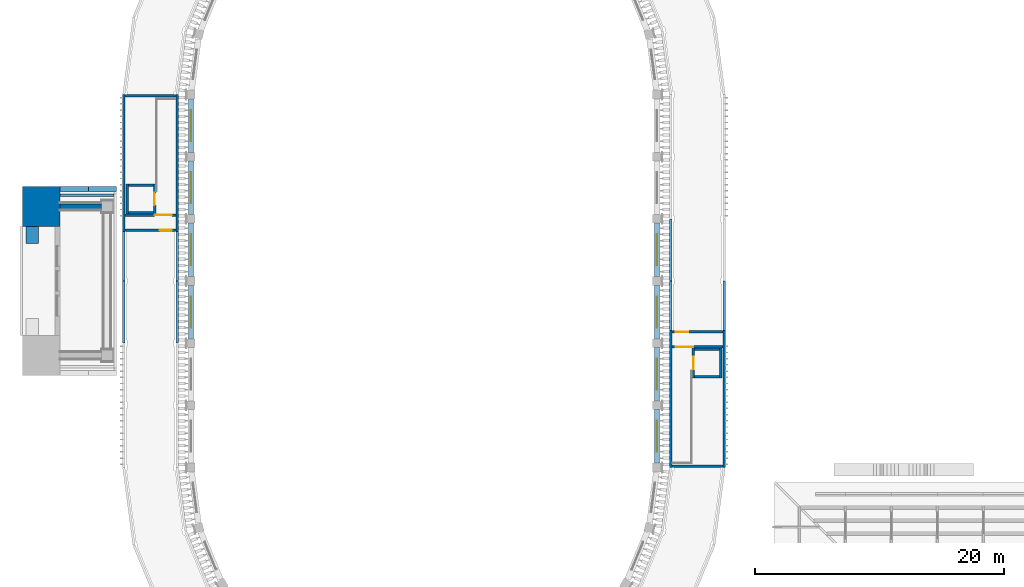
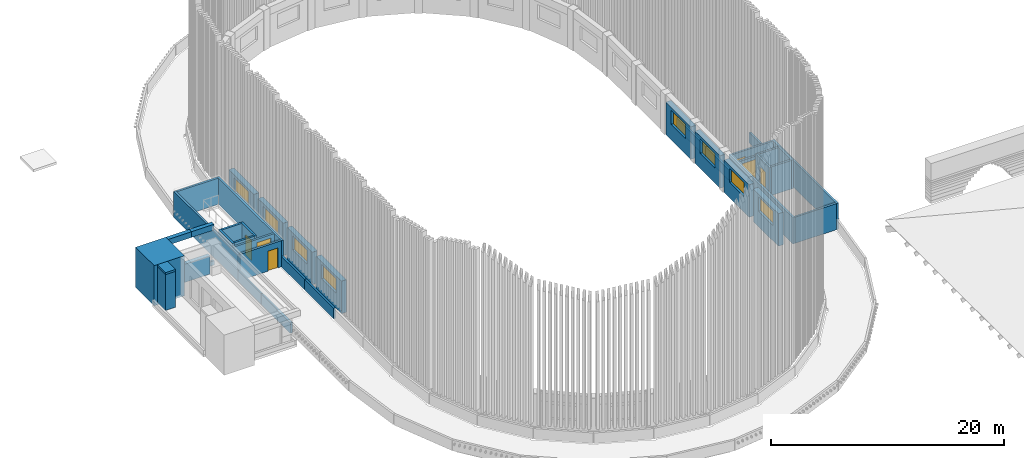
# One storey, part 22 of 68: 40 walls, 8 windows, 6 doors, 14 openings.
"""IFC4 building model written with IfcOpenShell, lengths in metres."""

from ifc_helpers import new_model, si_unit, direction, frame, frame_2d, origin, place, context, subcontext, project, spatial, rectangle, extrude, material, layer, layer_set, type_object, element, fill, save


model = new_model("IFC4")

# Units and contexts
model_context = context("Model", 3, precision=1e-05, world=origin(), true_north=direction((0.0, 1.0)))
body_context = subcontext(model_context, "Body", "Model", "MODEL_VIEW")
ifc_project = project(units=[si_unit("LENGTHUNIT", "METRE"), si_unit("AREAUNIT", "SQUARE_METRE"), si_unit("VOLUMEUNIT", "CUBIC_METRE"), si_unit("PLANEANGLEUNIT", "RADIAN"), si_unit("MASSUNIT", "GRAM", prefix="KILO")], contexts=[model_context])

# Site, building, storey
site_placement = place(None, origin())
site = spatial("IfcSite", under=ifc_project, at=site_placement, CompositionType="ELEMENT")
building_placement = place(site_placement, origin())
building = spatial("IfcBuilding", under=site, at=building_placement, Name="Wasatch Bagh Community Centre", CompositionType="ELEMENT")
storey_placement = place(building_placement, frame((0.0, 0.0, 8.39990234375)))
storey = spatial("IfcBuildingStorey", under=building, at=storey_placement, Name="L02", CompositionType="ELEMENT", Elevation=8.39990234375)

# Walls
ifc_material_1 = material(Name="Concrete C35", Category="concrete")
ifc_layer_1 = layer(ifc_material_1, 0.199951171875)
ifc_layer_set_1 = layer_set([ifc_layer_1], Name="Concrete C35")
wall_type_1 = type_object("IfcWallType", Name="CP-W1", PredefinedType="PARAPET", material=ifc_layer_set_1)
wall_1_placement = place(storey_placement, frame((6.72998046875, 56.89990234375, 0.25), z_axis=(0.0, 0.0, 1.0), x_axis=(1.0, 0.0, 0.0)))
element("IfcWall", 1, at=wall_1_placement, inside=storey, type_object=wall_type_1, Name="CP-W1 deck parapet 4", PredefinedType="PARAPET", context=body_context, shape_type="SweptSolid", body=[
    extrude(rectangle(XDim=4.320068359375, YDim=0.199951171875, at=frame_2d((2.16015625, 0.0))), origin(), (0.0, 0.0, 1.0), 0.4501953125),
])
ifc_material_2 = material(Name="Concrete C40", Category="concrete")
ifc_layer_2 = layer(ifc_material_2, 0.39990234375)
ifc_layer_set_2 = layer_set([ifc_layer_2], Name="Concrete C40")
wall_type_2 = type_object("IfcWallType", Name="CP-W4", PredefinedType="STANDARD", material=ifc_layer_set_2)
wall_2_placement = place(storey_placement, frame((6.699951171875, 56.0, 0.25), z_axis=(0.0, 0.0, 1.0), x_axis=(1.0, 0.0, 0.0)))
element("IfcWall", 2, at=wall_2_placement, inside=storey, type_object=wall_type_2, Name="CP-W4 portal return wall 2", PredefinedType="STANDARD", context=body_context, shape_type="SweptSolid", body=[
    extrude(rectangle(XDim=3.35009765625, YDim=0.39990234375, at=frame_2d((1.675048828125, 0.0))), origin(), (0.0, 0.0, 1.0), 1.900146484375),
])
ifc_layer_3 = layer(ifc_material_2, 0.39990234375)
ifc_layer_set_3 = layer_set([ifc_layer_3], Name="Concrete C40")
wall_type_3 = type_object("IfcWallType", Name="CP-W5", PredefinedType="STANDARD", material=ifc_layer_set_3)
wall_3_placement = place(storey_placement, frame((6.699951171875, 57.39990234375, 3.60009765625), z_axis=(0.0, 0.0, 1.0), x_axis=(1.0, 0.0, 0.0)))
element("IfcWall", 3, at=wall_3_placement, inside=storey, type_object=wall_type_3, Name="CP-W5 iwan cheek wall 2.1", PredefinedType="STANDARD", context=body_context, shape_type="SweptSolid", body=[
    extrude(rectangle(XDim=2.300048828125, YDim=0.39990234375, at=frame_2d((1.14990234375, 0.0))), origin(), (0.0, 0.0, 1.0), 0.60009765625),
])
wall_4_placement = place(storey_placement, frame((9.0, 57.39990234375, 3.60009765625), z_axis=(0.0, 0.0, 1.0), x_axis=(1.0, 0.0, 0.0)))
element("IfcWall", 4, at=wall_4_placement, inside=storey, type_object=wall_type_3, Name="CP-W5 iwan cheek wall 2.2", PredefinedType="STANDARD", context=body_context, shape_type="SweptSolid", body=[
    extrude(rectangle(XDim=2.25, YDim=0.39990234375, at=frame_2d((1.125, 0.0))), origin(), (0.0, 0.0, 1.0), 0.60009765625),
])
ifc_layer_4 = layer(ifc_material_2, 3.0)
ifc_layer_set_4 = layer_set([ifc_layer_4], Name="Concrete C40")
wall_type_4 = type_object("IfcWallType", Name="CP-W7", PredefinedType="STANDARD", material=ifc_layer_set_4)
wall_5_placement = place(storey_placement, frame((5.199951171875, 54.39990234375, 0.0), z_axis=(0.0, 0.0, 1.0), x_axis=(0.0, 1.0, 0.0)))
element("IfcWall", 5, at=wall_5_placement, inside=storey, type_object=wall_type_4, Name="CP-W7 iwan masonry mass 2", PredefinedType="STANDARD", context=body_context, shape_type="SweptSolid", body=[
    extrude(rectangle(XDim=3.2001953125, YDim=3.0, at=frame_2d((1.60009765625, 0.0))), origin(), (0.0, 0.0, 1.0), 4.2001953125),
])
ifc_layer_5 = layer(ifc_material_2, 1.0)
ifc_layer_set_5 = layer_set([ifc_layer_5], Name="Concrete C40")
wall_type_5 = type_object("IfcWallType", Name="CP-W8", PredefinedType="STANDARD", material=ifc_layer_set_5)
wall_6_placement = place(storey_placement, frame((4.5, 54.39990234375, 0.25), z_axis=(0.0, 0.0, 1.0), x_axis=(0.0, -1.0, 0.0)))
element("IfcWall", 6, at=wall_6_placement, inside=storey, type_object=wall_type_5, Name="CP-W8 iwan arch screen pier panel", PredefinedType="STANDARD", context=body_context, shape_type="SweptSolid", body=[
    extrude(rectangle(XDim=1.39990234375, YDim=1.0, at=frame_2d((0.699951171875, 0.0))), origin(), (0.0, 0.0, 1.0), 3.75),
])
wall_7_placement = place(storey_placement, frame((4.5, 54.39990234375, 4.0), z_axis=(0.0, 0.0, 1.0), x_axis=(0.0, -1.0, 0.0)))
element("IfcWall", 7, at=wall_7_placement, inside=storey, type_object=wall_type_5, Name="CP-W8 iwan arch screen arch spandrel", PredefinedType="STANDARD", context=body_context, shape_type="SweptSolid", body=[
    extrude(rectangle(XDim=1.39990234375, YDim=1.0, at=frame_2d((0.699951171875, 0.0))), origin(), (0.0, 0.0, 1.0), 0.2001953125),
])
ifc_layer_6 = layer(ifc_material_2, 0.199951171875)
ifc_layer_set_6 = layer_set([ifc_layer_6], Name="Concrete C40")
wall_type_6 = type_object("IfcWallType", Name="Drum core wall RC WALL 200", PredefinedType="STANDARD", material=ifc_layer_set_6)
for number, where, z_axis, x_axis, name in (
    (8, (55.85009765625, 35.0, 0.0), (0.0, 0.0, 1.0), (0.0, 1.0, 0.0), "Stair head wall SE in"),
    (9, (60.14990234375, 35.0, 0.0), (0.0, 0.0, 1.0), (0.0, 1.0, 0.0), "Stair head wall SE out"),
):
    element("IfcWall", number, at=place(storey_placement, frame(where, z_axis=z_axis, x_axis=x_axis)), inside=storey, type_object=wall_type_6, Name=name, PredefinedType="STANDARD", context=body_context, shape_type="SweptSolid", body=[
        extrude(rectangle(XDim=11.0, YDim=0.199951171875, at=frame_2d((5.5, 0.0))), origin(), (0.0, 0.0, 1.0), 2.739990234375),
    ])
wall_8_placement = place(storey_placement, frame((55.949951171875, 35.10009765625, 0.0), z_axis=(0.0, 0.0, 1.0), x_axis=(1.0, 0.0, 0.0)))
element("IfcWall", 10, at=wall_8_placement, inside=storey, type_object=wall_type_6, Name="Stair head end wall SE s", PredefinedType="STANDARD", context=body_context, shape_type="SweptSolid", body=[
    extrude(rectangle(XDim=4.10009765625, YDim=0.199951171875, at=frame_2d((2.050048828125, 0.0))), origin(), (0.0, 0.0, 1.0), 2.739990234375),
])

# Wall, opening, door
wall_9_placement = place(storey_placement, frame((55.949951171875, 45.89990234375, 0.0), z_axis=(0.0, 0.0, 1.0), x_axis=(1.0, 0.0, 0.0)))
wall_9 = element("IfcWall", 11, at=wall_9_placement, inside=storey, type_object=wall_type_6, Name="Stair head end wall SE n", PredefinedType="STANDARD", context=body_context, shape_type="SweptSolid", body=[
    extrude(rectangle(XDim=4.10009765625, YDim=0.199951171875, at=frame_2d((2.050048828125, 0.0))), origin(), (0.0, 0.0, 1.0), 2.739990234375),
])
opening_1_placement = place(wall_9_placement, frame((0.324951171875, 0.0, 0.0)))
opening_1 = element("IfcOpeningElement", 12, at=opening_1_placement, cuts=wall_9, Name="Opening 2F-21", PredefinedType="OPENING", context=body_context, shape_type="SweptSolid", body=[
    extrude(rectangle(XDim=1.0, YDim=2.10009765625, at=frame_2d((0.5, 1.050048828125))), frame((0.0, 0.10986328125, 0.0), z_axis=(0.0, -1.0, 0.0), x_axis=(1.0, 0.0, 0.0)), (0.0, 0.0, 1.0), 0.219970703125),
])
ifc_material_3 = material(Name="Timber door leaf in steel frame", Category="steel")
door_type_1 = type_object("IfcDoorType", Name="Drum door single 1000 x 2100", OperationType="SINGLE_SWING_LEFT", PredefinedType="DOOR", material=ifc_material_3)
door_1_placement = place(opening_1_placement, origin())
door_1 = element("IfcDoor", 13, at=door_1_placement, inside=storey, type_object=door_type_1, Name="Door 2F-21", OperationType="SINGLE_SWING_LEFT", OverallHeight=2.10009765625, OverallWidth=1.0, PredefinedType="DOOR", context=body_context, shape_type="SweptSolid", body=[
    extrude(rectangle(XDim=1.0, YDim=2.10009765625, at=frame_2d((0.5, 1.050048828125))), frame((0.0, 0.02490234375, 0.0), z_axis=(0.0, -1.0, 0.0), x_axis=(1.0, 0.0, 0.0)), (0.0, 0.0, 1.0), 0.050048828125),
])
fill(opening_1, door_1)

# Walls
for number, where, z_axis, x_axis, name in (
    (14, (16.14990234375, 65.0, 0.0), (0.0, 0.0, 1.0), (0.0, -1.0, 0.0), "Stair head wall NW in"),
    (15, (11.85009765625, 65.0, 0.0), (0.0, 0.0, 1.0), (0.0, -1.0, 0.0), "Stair head wall NW out"),
):
    element("IfcWall", number, at=place(storey_placement, frame(where, z_axis=z_axis, x_axis=x_axis)), inside=storey, type_object=wall_type_6, Name=name, PredefinedType="STANDARD", context=body_context, shape_type="SweptSolid", body=[
        extrude(rectangle(XDim=11.0, YDim=0.199951171875, at=frame_2d((5.5, 0.0))), origin(), (0.0, 0.0, 1.0), 2.739990234375),
    ])
wall_10_placement = place(storey_placement, frame((16.050048828125, 64.89990234375, 0.0), z_axis=(0.0, 0.0, 1.0), x_axis=(-1.0, 0.0, 0.0)))
element("IfcWall", 16, at=wall_10_placement, inside=storey, type_object=wall_type_6, Name="Stair head end wall NW s", PredefinedType="STANDARD", context=body_context, shape_type="SweptSolid", body=[
    extrude(rectangle(XDim=4.10009765625, YDim=0.199951171875, at=frame_2d((2.050048828125, 0.0))), origin(), (0.0, 0.0, 1.0), 2.739990234375),
])

# Wall, opening, door
wall_11_placement = place(storey_placement, frame((16.050048828125, 54.10009765625, 0.0), z_axis=(0.0, 0.0, 1.0), x_axis=(-1.0, 0.0, 0.0)))
wall_11 = element("IfcWall", 17, at=wall_11_placement, inside=storey, type_object=wall_type_6, Name="Stair head end wall NW n", PredefinedType="STANDARD", context=body_context, shape_type="SweptSolid", body=[
    extrude(rectangle(XDim=4.10009765625, YDim=0.199951171875, at=frame_2d((2.050048828125, 0.0))), origin(), (0.0, 0.0, 1.0), 2.739990234375),
])
opening_2_placement = place(wall_11_placement, frame((0.324951171875, 0.0, 0.0)))
opening_2 = element("IfcOpeningElement", 18, at=opening_2_placement, cuts=wall_11, Name="Opening 2F-22", PredefinedType="OPENING", context=body_context, shape_type="SweptSolid", body=[
    extrude(rectangle(XDim=1.0, YDim=2.10009765625, at=frame_2d((0.5, 1.050048828125))), frame((0.0, 0.10986328125, 0.0), z_axis=(0.0, -1.0, 0.0), x_axis=(1.0, 0.0, 0.0)), (0.0, 0.0, 1.0), 0.219970703125),
])
door_2_placement = place(opening_2_placement, origin())
door_2 = element("IfcDoor", 19, at=door_2_placement, inside=storey, type_object=door_type_1, Name="Door 2F-22", OperationType="SINGLE_SWING_LEFT", OverallHeight=2.10009765625, OverallWidth=1.0, PredefinedType="DOOR", context=body_context, shape_type="SweptSolid", body=[
    extrude(rectangle(XDim=1.0, YDim=2.10009765625, at=frame_2d((0.5, 1.050048828125))), frame((0.0, 0.02490234375, 0.0), z_axis=(0.0, -1.0, 0.0), x_axis=(1.0, 0.0, 0.0)), (0.0, 0.0, 1.0), 0.050048828125),
])
fill(opening_2, door_2)

ifc_layer_7 = layer(ifc_material_2, 0.199951171875)
ifc_layer_set_7 = layer_set([ifc_layer_7], Name="Concrete C40")
wall_type_7 = type_object("IfcWallType", Name="Drum lift shaft wall RC WALL 200", PredefinedType="SHEAR", material=ifc_layer_set_7)
wall_12_placement = place(storey_placement, frame((57.675048828125, 42.199951171875, 0.0), z_axis=(0.0, 0.0, 1.0), x_axis=(0.0, 1.0, 0.0)))
wall_12 = element("IfcWall", 20, at=wall_12_placement, inside=storey, type_object=wall_type_7, Name="Lift shaft wall SE in", PredefinedType="SHEAR", context=body_context, shape_type="SweptSolid", body=[
    extrude(rectangle(XDim=2.400146484375, YDim=0.199951171875, at=frame_2d((1.2001953125, 0.0))), origin(), (0.0, 0.0, 1.0), 3.0),
])
opening_3_placement = place(wall_12_placement, frame((0.699951171875, 0.0, 0.0)))
opening_3 = element("IfcOpeningElement", 21, at=opening_3_placement, cuts=wall_12, Name="Opening LD", PredefinedType="OPENING", context=body_context, shape_type="SweptSolid", body=[
    extrude(rectangle(XDim=1.0, YDim=2.10009765625, at=frame_2d((0.5, 1.050048828125))), frame((0.0, 0.10986328125, 0.0), z_axis=(0.0, -1.0, 0.0), x_axis=(1.0, 0.0, 0.0)), (0.0, 0.0, 1.0), 0.219970703125),
])
ifc_material_4 = material(Name="Stainless steel landing door", Category="steel")
door_type_2 = type_object("IfcDoorType", Name="Lift landing door 1000 x 2100", OperationType="SLIDING_TO_LEFT", PredefinedType="DOOR", material=ifc_material_4)
door_3_placement = place(opening_3_placement, origin())
door_3 = element("IfcDoor", 22, at=door_3_placement, inside=storey, type_object=door_type_2, Name="Lift landing door SE L02", OperationType="SLIDING_TO_LEFT", OverallHeight=2.10009765625, OverallWidth=1.0, PredefinedType="DOOR", context=body_context, shape_type="SweptSolid", body=[
    extrude(rectangle(XDim=1.0, YDim=2.10009765625, at=frame_2d((0.5, 1.050048828125))), frame((0.0, 0.02490234375, 0.0), z_axis=(0.0, -1.0, 0.0), x_axis=(1.0, 0.0, 0.0)), (0.0, 0.0, 1.0), 0.050048828125),
])
fill(opening_3, door_3)

# Walls
wall_13_placement = place(storey_placement, frame((59.875, 42.199951171875, 0.0), z_axis=(0.0, 0.0, 1.0), x_axis=(0.0, 1.0, 0.0)))
element("IfcWall", 23, at=wall_13_placement, inside=storey, type_object=wall_type_7, Name="Lift shaft wall SE out", PredefinedType="SHEAR", context=body_context, shape_type="SweptSolid", body=[
    extrude(rectangle(XDim=2.400146484375, YDim=0.199951171875, at=frame_2d((1.2001953125, 0.0))), origin(), (0.0, 0.0, 1.0), 3.0),
])
for number, where, z_axis, x_axis, name in (
    (24, (57.77490234375, 42.300048828125, 0.0), (0.0, 0.0, 1.0), (1.0, 0.0, 0.0), "Lift shaft wall SE a0"),
    (25, (57.77490234375, 44.5, 0.0), (0.0, 0.0, 1.0), (1.0, 0.0, 0.0), "Lift shaft wall SE a1"),
):
    element("IfcWall", number, at=place(storey_placement, frame(where, z_axis=z_axis, x_axis=x_axis)), inside=storey, type_object=wall_type_7, Name=name, PredefinedType="SHEAR", context=body_context, shape_type="SweptSolid", body=[
        extrude(rectangle(XDim=2.0, YDim=0.199951171875, at=frame_2d((1.0, 0.0))), origin(), (0.0, 0.0, 1.0), 3.0),
    ])

# Wall, opening, door
wall_14_placement = place(storey_placement, frame((14.324951171875, 57.800048828125, 0.0), z_axis=(0.0, 0.0, 1.0), x_axis=(0.0, -1.0, 0.0)))
wall_14 = element("IfcWall", 26, at=wall_14_placement, inside=storey, type_object=wall_type_7, Name="Lift shaft wall NW in", PredefinedType="SHEAR", context=body_context, shape_type="SweptSolid", body=[
    extrude(rectangle(XDim=2.400146484375, YDim=0.199951171875, at=frame_2d((1.2001953125, 0.0))), origin(), (0.0, 0.0, 1.0), 3.0),
])
opening_4_placement = place(wall_14_placement, frame((0.699951171875, 0.0, 0.0)))
opening_4 = element("IfcOpeningElement", 27, at=opening_4_placement, cuts=wall_14, Name="Opening LD", PredefinedType="OPENING", context=body_context, shape_type="SweptSolid", body=[
    extrude(rectangle(XDim=1.0, YDim=2.10009765625, at=frame_2d((0.5, 1.050048828125))), frame((0.0, 0.10986328125, 0.0), z_axis=(0.0, -1.0, 0.0), x_axis=(1.0, 0.0, 0.0)), (0.0, 0.0, 1.0), 0.219970703125),
])
door_4_placement = place(opening_4_placement, origin())
door_4 = element("IfcDoor", 28, at=door_4_placement, inside=storey, type_object=door_type_2, Name="Lift landing door NW L02", OperationType="SLIDING_TO_LEFT", OverallHeight=2.10009765625, OverallWidth=1.0, PredefinedType="DOOR", context=body_context, shape_type="SweptSolid", body=[
    extrude(rectangle(XDim=1.0, YDim=2.10009765625, at=frame_2d((0.5, 1.050048828125))), frame((0.0, 0.02490234375, 0.0), z_axis=(0.0, -1.0, 0.0), x_axis=(1.0, 0.0, 0.0)), (0.0, 0.0, 1.0), 0.050048828125),
])
fill(opening_4, door_4)

# Walls
wall_15_placement = place(storey_placement, frame((12.125, 57.800048828125, 0.0), z_axis=(0.0, 0.0, 1.0), x_axis=(0.0, -1.0, 0.0)))
element("IfcWall", 29, at=wall_15_placement, inside=storey, type_object=wall_type_7, Name="Lift shaft wall NW out", PredefinedType="SHEAR", context=body_context, shape_type="SweptSolid", body=[
    extrude(rectangle(XDim=2.400146484375, YDim=0.199951171875, at=frame_2d((1.2001953125, 0.0))), origin(), (0.0, 0.0, 1.0), 3.0),
])
for number, where, z_axis, x_axis, name in (
    (30, (14.22509765625, 57.699951171875, 0.0), (0.0, 0.0, 1.0), (-1.0, 0.0, 0.0), "Lift shaft wall NW a0"),
    (31, (14.22509765625, 55.5, 0.0), (0.0, 0.0, 1.0), (-1.0, 0.0, 0.0), "Lift shaft wall NW a1"),
):
    element("IfcWall", number, at=place(storey_placement, frame(where, z_axis=z_axis, x_axis=x_axis)), inside=storey, type_object=wall_type_7, Name=name, PredefinedType="SHEAR", context=body_context, shape_type="SweptSolid", body=[
        extrude(rectangle(XDim=2.0, YDim=0.199951171875, at=frame_2d((1.0, 0.0))), origin(), (0.0, 0.0, 1.0), 3.0),
    ])
ifc_layer_8 = layer(ifc_material_2, 0.199951171875)
ifc_layer_set_8 = layer_set([ifc_layer_8], Name="Concrete C40")
wall_type_8 = type_object("IfcWallType", Name="Drum parapet RC WALL 200", PredefinedType="PARAPET", material=ifc_layer_set_8)
for number, where, z_axis, x_axis, name in (
    (32, (60.14990234375, 46.0, 0.0), (0.0, 0.0, 1.0), (0.0, 1.0, 0.0), "Terrace parapet outer 15"),
    (33, (11.85009765625, 54.0, 0.0), (0.0, 0.0, 1.0), (0.0, -1.0, 0.0), "Terrace parapet outer 33"),
):
    element("IfcWall", number, at=place(storey_placement, frame(where, z_axis=z_axis, x_axis=x_axis)), inside=storey, type_object=wall_type_8, Name=name, PredefinedType="PARAPET", context=body_context, shape_type="SweptSolid", body=[
        extrude(rectangle(XDim=3.986083984375, YDim=0.199951171875, at=frame_2d((1.9931640625, 0.0))), origin(), (0.0, 0.0, 1.0), 1.10009765625),
    ])
wall_16_placement = place(storey_placement, frame((11.85009765625, 49.986083984375, 0.0), z_axis=(0.0, 0.0, 1.0), x_axis=(0.0, -1.0, 0.0)))
element("IfcWall", 34, at=wall_16_placement, inside=storey, type_object=wall_type_8, Name="Terrace parapet outer 34", PredefinedType="PARAPET", context=body_context, shape_type="SweptSolid", body=[
    extrude(rectangle(XDim=4.97216796875, YDim=0.199951171875, at=frame_2d((2.486083984375, 0.0))), origin(), (0.0, 0.0, 1.0), 1.10009765625),
])
wall_17_placement = place(storey_placement, frame((55.85009765625, 46.0, 0.0), z_axis=(0.0, 0.0, 1.0), x_axis=(0.0, 1.0, 0.0)))
element("IfcWall", 35, at=wall_17_placement, inside=storey, type_object=wall_type_8, Name="Terrace parapet inner 15", PredefinedType="PARAPET", context=body_context, shape_type="SweptSolid", body=[
    extrude(rectangle(XDim=3.986083984375, YDim=0.199951171875, at=frame_2d((1.9931640625, 0.0))), origin(), (0.0, 0.0, 1.0), 1.10009765625),
])
wall_18_placement = place(storey_placement, frame((55.85009765625, 50.013916015625, 0.0), z_axis=(0.0, 0.0, 1.0), x_axis=(0.0, 1.0, 0.0)))
element("IfcWall", 36, at=wall_18_placement, inside=storey, type_object=wall_type_8, Name="Terrace parapet inner 16", PredefinedType="PARAPET", context=body_context, shape_type="SweptSolid", body=[
    extrude(rectangle(XDim=4.97216796875, YDim=0.199951171875, at=frame_2d((2.486083984375, 0.0))), origin(), (0.0, 0.0, 1.0), 1.10009765625),
])
wall_19_placement = place(storey_placement, frame((16.14990234375, 54.0, 0.0), z_axis=(0.0, 0.0, 1.0), x_axis=(0.0, -1.0, 0.0)))
element("IfcWall", 37, at=wall_19_placement, inside=storey, type_object=wall_type_8, Name="Terrace parapet inner 33", PredefinedType="PARAPET", context=body_context, shape_type="SweptSolid", body=[
    extrude(rectangle(XDim=3.986083984375, YDim=0.199951171875, at=frame_2d((1.9931640625, 0.0))), origin(), (0.0, 0.0, 1.0), 1.10009765625),
])
wall_20_placement = place(storey_placement, frame((16.14990234375, 49.986083984375, 0.0), z_axis=(0.0, 0.0, 1.0), x_axis=(0.0, -1.0, 0.0)))
element("IfcWall", 38, at=wall_20_placement, inside=storey, type_object=wall_type_8, Name="Terrace parapet inner 34", PredefinedType="PARAPET", context=body_context, shape_type="SweptSolid", body=[
    extrude(rectangle(XDim=4.97216796875, YDim=0.199951171875, at=frame_2d((2.486083984375, 0.0))), origin(), (0.0, 0.0, 1.0), 1.10009765625),
])

# Wall, opening, door
ifc_layer_9 = layer(ifc_material_2, 0.199951171875)
ifc_layer_set_9 = layer_set([ifc_layer_9], Name="Concrete C40")
wall_type_9 = type_object("IfcWallType", Name="Drum terrace foyer partition RC WALL 200", PredefinedType="STANDARD", material=ifc_layer_set_9)
wall_21_placement = place(storey_placement, frame((55.949951171875, 44.699951171875, 0.0), z_axis=(0.0, 0.0, 1.0), x_axis=(1.0, 0.0, 0.0)))
wall_21 = element("IfcWall", 39, at=wall_21_placement, inside=storey, type_object=wall_type_9, Name="Terrace foyer partition SE", PredefinedType="STANDARD", context=body_context, shape_type="SweptSolid", body=[
    extrude(rectangle(XDim=4.10009765625, YDim=0.199951171875, at=frame_2d((2.050048828125, 0.0))), origin(), (0.0, 0.0, 1.0), 2.739990234375),
])
opening_5_placement = place(wall_21_placement, frame((0.324951171875, 0.0, 0.0)))
opening_5 = element("IfcOpeningElement", 40, at=opening_5_placement, cuts=wall_21, Name="Opening 2F-31", PredefinedType="OPENING", context=body_context, shape_type="SweptSolid", body=[
    extrude(rectangle(XDim=1.39990234375, YDim=2.39990234375, at=frame_2d((0.699951171875, 1.199951171875))), frame((0.0, 0.10986328125, 0.0), z_axis=(0.0, -1.0, 0.0), x_axis=(1.0, 0.0, 0.0)), (0.0, 0.0, 1.0), 0.219970703125),
])
door_type_3 = type_object("IfcDoorType", Name="Drum terrace foyer door pair 1400 x 2400", OperationType="DOUBLE_DOOR_SINGLE_SWING", PredefinedType="DOOR", material=ifc_material_3)
door_5_placement = place(opening_5_placement, origin())
door_5 = element("IfcDoor", 41, at=door_5_placement, inside=storey, type_object=door_type_3, Name="Door 2F-31", OperationType="DOUBLE_DOOR_SINGLE_SWING", OverallHeight=2.39990234375, OverallWidth=1.39990234375, PredefinedType="DOOR", context=body_context, shape_type="SweptSolid", body=[
    extrude(rectangle(XDim=1.39990234375, YDim=2.39990234375, at=frame_2d((0.699951171875, 1.199951171875))), frame((0.0, 0.02490234375, 0.0), z_axis=(0.0, -1.0, 0.0), x_axis=(1.0, 0.0, 0.0)), (0.0, 0.0, 1.0), 0.050048828125),
])
fill(opening_5, door_5)

wall_22_placement = place(storey_placement, frame((16.050048828125, 55.300048828125, 0.0), z_axis=(0.0, 0.0, 1.0), x_axis=(-1.0, 0.0, 0.0)))
wall_22 = element("IfcWall", 42, at=wall_22_placement, inside=storey, type_object=wall_type_9, Name="Terrace foyer partition NW", PredefinedType="STANDARD", context=body_context, shape_type="SweptSolid", body=[
    extrude(rectangle(XDim=4.10009765625, YDim=0.199951171875, at=frame_2d((2.050048828125, 0.0))), origin(), (0.0, 0.0, 1.0), 2.739990234375),
])
opening_6_placement = place(wall_22_placement, frame((0.324951171875, 0.0, 0.0)))
opening_6 = element("IfcOpeningElement", 43, at=opening_6_placement, cuts=wall_22, Name="Opening 2F-32", PredefinedType="OPENING", context=body_context, shape_type="SweptSolid", body=[
    extrude(rectangle(XDim=1.39990234375, YDim=2.39990234375, at=frame_2d((0.699951171875, 1.199951171875))), frame((0.0, 0.10986328125, 0.0), z_axis=(0.0, -1.0, 0.0), x_axis=(1.0, 0.0, 0.0)), (0.0, 0.0, 1.0), 0.219970703125),
])
door_6_placement = place(opening_6_placement, origin())
door_6 = element("IfcDoor", 44, at=door_6_placement, inside=storey, type_object=door_type_3, Name="Door 2F-32", OperationType="DOUBLE_DOOR_SINGLE_SWING", OverallHeight=2.39990234375, OverallWidth=1.39990234375, PredefinedType="DOOR", context=body_context, shape_type="SweptSolid", body=[
    extrude(rectangle(XDim=1.39990234375, YDim=2.39990234375, at=frame_2d((0.699951171875, 1.199951171875))), frame((0.0, 0.02490234375, 0.0), z_axis=(0.0, -1.0, 0.0), x_axis=(1.0, 0.0, 0.0)), (0.0, 0.0, 1.0), 0.050048828125),
])
fill(opening_6, door_6)

# Wall, opening, window
ifc_layer_10 = layer(ifc_material_2, 0.5)
ifc_layer_set_10 = layer_set([ifc_layer_10], Name="Concrete C40")
wall_type_10 = type_object("IfcWallType", Name="MH wall RC WALL 500", PredefinedType="SHEAR", material=ifc_layer_set_10)
wall_23_placement = place(storey_placement, frame((54.75, 35.3505859375, 0.0), z_axis=(0.0, 0.0, 1.0), x_axis=(0.0, 1.0, 0.0)))
wall_23 = element("IfcWall", 45, at=wall_23_placement, inside=storey, type_object=wall_type_10, Name="Capsule wall 13", PredefinedType="SHEAR", context=body_context, shape_type="SweptSolid", body=[
    extrude(rectangle(XDim=4.298828125, YDim=0.5, at=frame_2d((2.1494140625, 0.0))), origin(), (0.0, 0.0, 1.0), 3.400146484375),
])
opening_7_placement = place(wall_23_placement, frame((0.8994140625, 0.0, 1.60009765625)))
opening_7 = element("IfcOpeningElement", 46, at=opening_7_placement, cuts=wall_23, Name="Opening 0M-W13", PredefinedType="OPENING", context=body_context, shape_type="SweptSolid", body=[
    extrude(rectangle(XDim=2.5, YDim=1.5, at=frame_2d((1.25, 0.75))), frame((0.0, 0.260009765625, 0.0), z_axis=(0.0, -1.0, 0.0), x_axis=(1.0, 0.0, 0.0)), (0.0, 0.0, 1.0), 0.52001953125),
])
ifc_material_5 = material(Name="Aluminium frame with low-iron insulated glass", Category="aluminium")
window_type = type_object("IfcWindowType", Name="MH clerestory window W3", PartitioningType="SINGLE_PANEL", PredefinedType="WINDOW", material=ifc_material_5)
window_1_placement = place(opening_7_placement, origin())
window_1 = element("IfcWindow", 47, at=window_1_placement, inside=storey, type_object=window_type, Name="Window 0M-W13", OverallHeight=1.5, OverallWidth=2.5, PartitioningType="SINGLE_PANEL", PredefinedType="WINDOW", context=body_context, shape_type="SweptSolid", body=[
    extrude(rectangle(XDim=2.5, YDim=1.5, at=frame_2d((1.25, 0.75))), frame((0.0, 0.030029296875, 0.0), z_axis=(0.0, -1.0, 0.0), x_axis=(1.0, 0.0, 0.0)), (0.0, 0.0, 1.0), 0.06005859375),
])
fill(opening_7, window_1)

wall_24_placement = place(storey_placement, frame((54.75, 40.3505859375, 0.0), z_axis=(0.0, 0.0, 1.0), x_axis=(0.0, 1.0, 0.0)))
wall_24 = element("IfcWall", 48, at=wall_24_placement, inside=storey, type_object=wall_type_10, Name="Capsule wall 14", PredefinedType="SHEAR", context=body_context, shape_type="SweptSolid", body=[
    extrude(rectangle(XDim=4.298828125, YDim=0.5, at=frame_2d((2.1494140625, 0.0))), origin(), (0.0, 0.0, 1.0), 3.400146484375),
])
opening_8_placement = place(wall_24_placement, frame((0.8994140625, 0.0, 1.60009765625)))
opening_8 = element("IfcOpeningElement", 49, at=opening_8_placement, cuts=wall_24, Name="Opening 0M-W14", PredefinedType="OPENING", context=body_context, shape_type="SweptSolid", body=[
    extrude(rectangle(XDim=2.5, YDim=1.5, at=frame_2d((1.25, 0.75))), frame((0.0, 0.260009765625, 0.0), z_axis=(0.0, -1.0, 0.0), x_axis=(1.0, 0.0, 0.0)), (0.0, 0.0, 1.0), 0.52001953125),
])
window_2_placement = place(opening_8_placement, origin())
window_2 = element("IfcWindow", 50, at=window_2_placement, inside=storey, type_object=window_type, Name="Window 0M-W14", OverallHeight=1.5, OverallWidth=2.5, PartitioningType="SINGLE_PANEL", PredefinedType="WINDOW", context=body_context, shape_type="SweptSolid", body=[
    extrude(rectangle(XDim=2.5, YDim=1.5, at=frame_2d((1.25, 0.75))), frame((0.0, 0.030029296875, 0.0), z_axis=(0.0, -1.0, 0.0), x_axis=(1.0, 0.0, 0.0)), (0.0, 0.0, 1.0), 0.06005859375),
])
fill(opening_8, window_2)

wall_25_placement = place(storey_placement, frame((54.75, 45.3505859375, 0.0), z_axis=(0.0, 0.0, 1.0), x_axis=(0.0, 1.0, 0.0)))
wall_25 = element("IfcWall", 51, at=wall_25_placement, inside=storey, type_object=wall_type_10, Name="Capsule wall 15", PredefinedType="SHEAR", context=body_context, shape_type="SweptSolid", body=[
    extrude(rectangle(XDim=4.298828125, YDim=0.5, at=frame_2d((2.1494140625, 0.0))), origin(), (0.0, 0.0, 1.0), 3.400146484375),
])
opening_9_placement = place(wall_25_placement, frame((0.8994140625, 0.0, 1.60009765625)))
opening_9 = element("IfcOpeningElement", 52, at=opening_9_placement, cuts=wall_25, Name="Opening 0M-W15", PredefinedType="OPENING", context=body_context, shape_type="SweptSolid", body=[
    extrude(rectangle(XDim=2.5, YDim=1.5, at=frame_2d((1.25, 0.75))), frame((0.0, 0.260009765625, 0.0), z_axis=(0.0, -1.0, 0.0), x_axis=(1.0, 0.0, 0.0)), (0.0, 0.0, 1.0), 0.52001953125),
])
window_3_placement = place(opening_9_placement, origin())
window_3 = element("IfcWindow", 53, at=window_3_placement, inside=storey, type_object=window_type, Name="Window 0M-W15", OverallHeight=1.5, OverallWidth=2.5, PartitioningType="SINGLE_PANEL", PredefinedType="WINDOW", context=body_context, shape_type="SweptSolid", body=[
    extrude(rectangle(XDim=2.5, YDim=1.5, at=frame_2d((1.25, 0.75))), frame((0.0, 0.030029296875, 0.0), z_axis=(0.0, -1.0, 0.0), x_axis=(1.0, 0.0, 0.0)), (0.0, 0.0, 1.0), 0.06005859375),
])
fill(opening_9, window_3)

wall_26_placement = place(storey_placement, frame((54.75, 50.3505859375, 0.0), z_axis=(0.0, 0.0, 1.0), x_axis=(0.0, 1.0, 0.0)))
wall_26 = element("IfcWall", 54, at=wall_26_placement, inside=storey, type_object=wall_type_10, Name="Capsule wall 16", PredefinedType="SHEAR", context=body_context, shape_type="SweptSolid", body=[
    extrude(rectangle(XDim=4.298828125, YDim=0.5, at=frame_2d((2.1494140625, 0.0))), origin(), (0.0, 0.0, 1.0), 3.400146484375),
])
opening_10_placement = place(wall_26_placement, frame((0.8994140625, 0.0, 1.60009765625)))
opening_10 = element("IfcOpeningElement", 55, at=opening_10_placement, cuts=wall_26, Name="Opening 0M-W16", PredefinedType="OPENING", context=body_context, shape_type="SweptSolid", body=[
    extrude(rectangle(XDim=2.5, YDim=1.5, at=frame_2d((1.25, 0.75))), frame((0.0, 0.260009765625, 0.0), z_axis=(0.0, -1.0, 0.0), x_axis=(1.0, 0.0, 0.0)), (0.0, 0.0, 1.0), 0.52001953125),
])
window_4_placement = place(opening_10_placement, origin())
window_4 = element("IfcWindow", 56, at=window_4_placement, inside=storey, type_object=window_type, Name="Window 0M-W16", OverallHeight=1.5, OverallWidth=2.5, PartitioningType="SINGLE_PANEL", PredefinedType="WINDOW", context=body_context, shape_type="SweptSolid", body=[
    extrude(rectangle(XDim=2.5, YDim=1.5, at=frame_2d((1.25, 0.75))), frame((0.0, 0.030029296875, 0.0), z_axis=(0.0, -1.0, 0.0), x_axis=(1.0, 0.0, 0.0)), (0.0, 0.0, 1.0), 0.06005859375),
])
fill(opening_10, window_4)

wall_27_placement = place(storey_placement, frame((17.25, 64.6494140625, 0.0), z_axis=(0.0, 0.0, 1.0), x_axis=(0.0, -1.0, 0.0)))
wall_27 = element("IfcWall", 57, at=wall_27_placement, inside=storey, type_object=wall_type_10, Name="Capsule wall 31", PredefinedType="SHEAR", context=body_context, shape_type="SweptSolid", body=[
    extrude(rectangle(XDim=4.298828125, YDim=0.5, at=frame_2d((2.1494140625, 0.0))), origin(), (0.0, 0.0, 1.0), 3.400146484375),
])
opening_11_placement = place(wall_27_placement, frame((0.8994140625, 0.0, 1.60009765625)))
opening_11 = element("IfcOpeningElement", 58, at=opening_11_placement, cuts=wall_27, Name="Opening 0M-W31", PredefinedType="OPENING", context=body_context, shape_type="SweptSolid", body=[
    extrude(rectangle(XDim=2.5, YDim=1.5, at=frame_2d((1.25, 0.75))), frame((0.0, 0.260009765625, 0.0), z_axis=(0.0, -1.0, 0.0), x_axis=(1.0, 0.0, 0.0)), (0.0, 0.0, 1.0), 0.52001953125),
])
window_5_placement = place(opening_11_placement, origin())
window_5 = element("IfcWindow", 59, at=window_5_placement, inside=storey, type_object=window_type, Name="Window 0M-W31", OverallHeight=1.5, OverallWidth=2.5, PartitioningType="SINGLE_PANEL", PredefinedType="WINDOW", context=body_context, shape_type="SweptSolid", body=[
    extrude(rectangle(XDim=2.5, YDim=1.5, at=frame_2d((1.25, 0.75))), frame((0.0, 0.030029296875, 0.0), z_axis=(0.0, -1.0, 0.0), x_axis=(1.0, 0.0, 0.0)), (0.0, 0.0, 1.0), 0.06005859375),
])
fill(opening_11, window_5)

wall_28_placement = place(storey_placement, frame((17.25, 59.6494140625, 0.0), z_axis=(0.0, 0.0, 1.0), x_axis=(0.0, -1.0, 0.0)))
wall_28 = element("IfcWall", 60, at=wall_28_placement, inside=storey, type_object=wall_type_10, Name="Capsule wall 32", PredefinedType="SHEAR", context=body_context, shape_type="SweptSolid", body=[
    extrude(rectangle(XDim=4.298828125, YDim=0.5, at=frame_2d((2.1494140625, 0.0))), origin(), (0.0, 0.0, 1.0), 3.400146484375),
])
opening_12_placement = place(wall_28_placement, frame((0.8994140625, 0.0, 1.60009765625)))
opening_12 = element("IfcOpeningElement", 61, at=opening_12_placement, cuts=wall_28, Name="Opening 0M-W32", PredefinedType="OPENING", context=body_context, shape_type="SweptSolid", body=[
    extrude(rectangle(XDim=2.5, YDim=1.5, at=frame_2d((1.25, 0.75))), frame((0.0, 0.260009765625, 0.0), z_axis=(0.0, -1.0, 0.0), x_axis=(1.0, 0.0, 0.0)), (0.0, 0.0, 1.0), 0.52001953125),
])
window_6_placement = place(opening_12_placement, origin())
window_6 = element("IfcWindow", 62, at=window_6_placement, inside=storey, type_object=window_type, Name="Window 0M-W32", OverallHeight=1.5, OverallWidth=2.5, PartitioningType="SINGLE_PANEL", PredefinedType="WINDOW", context=body_context, shape_type="SweptSolid", body=[
    extrude(rectangle(XDim=2.5, YDim=1.5, at=frame_2d((1.25, 0.75))), frame((0.0, 0.030029296875, 0.0), z_axis=(0.0, -1.0, 0.0), x_axis=(1.0, 0.0, 0.0)), (0.0, 0.0, 1.0), 0.06005859375),
])
fill(opening_12, window_6)

wall_29_placement = place(storey_placement, frame((17.25, 54.6494140625, 0.0), z_axis=(0.0, 0.0, 1.0), x_axis=(0.0, -1.0, 0.0)))
wall_29 = element("IfcWall", 63, at=wall_29_placement, inside=storey, type_object=wall_type_10, Name="Capsule wall 33", PredefinedType="SHEAR", context=body_context, shape_type="SweptSolid", body=[
    extrude(rectangle(XDim=4.298828125, YDim=0.5, at=frame_2d((2.1494140625, 0.0))), origin(), (0.0, 0.0, 1.0), 3.400146484375),
])
opening_13_placement = place(wall_29_placement, frame((0.8994140625, 0.0, 1.60009765625)))
opening_13 = element("IfcOpeningElement", 64, at=opening_13_placement, cuts=wall_29, Name="Opening 0M-W33", PredefinedType="OPENING", context=body_context, shape_type="SweptSolid", body=[
    extrude(rectangle(XDim=2.5, YDim=1.5, at=frame_2d((1.25, 0.75))), frame((0.0, 0.260009765625, 0.0), z_axis=(0.0, -1.0, 0.0), x_axis=(1.0, 0.0, 0.0)), (0.0, 0.0, 1.0), 0.52001953125),
])
window_7_placement = place(opening_13_placement, origin())
window_7 = element("IfcWindow", 65, at=window_7_placement, inside=storey, type_object=window_type, Name="Window 0M-W33", OverallHeight=1.5, OverallWidth=2.5, PartitioningType="SINGLE_PANEL", PredefinedType="WINDOW", context=body_context, shape_type="SweptSolid", body=[
    extrude(rectangle(XDim=2.5, YDim=1.5, at=frame_2d((1.25, 0.75))), frame((0.0, 0.030029296875, 0.0), z_axis=(0.0, -1.0, 0.0), x_axis=(1.0, 0.0, 0.0)), (0.0, 0.0, 1.0), 0.06005859375),
])
fill(opening_13, window_7)

wall_30_placement = place(storey_placement, frame((17.25, 49.6494140625, 0.0), z_axis=(0.0, 0.0, 1.0), x_axis=(0.0, -1.0, 0.0)))
wall_30 = element("IfcWall", 66, at=wall_30_placement, inside=storey, type_object=wall_type_10, Name="Capsule wall 34", PredefinedType="SHEAR", context=body_context, shape_type="SweptSolid", body=[
    extrude(rectangle(XDim=4.298828125, YDim=0.5, at=frame_2d((2.1494140625, 0.0))), origin(), (0.0, 0.0, 1.0), 3.400146484375),
])
opening_14_placement = place(wall_30_placement, frame((0.8994140625, 0.0, 1.60009765625)))
opening_14 = element("IfcOpeningElement", 67, at=opening_14_placement, cuts=wall_30, Name="Opening 0M-W34", PredefinedType="OPENING", context=body_context, shape_type="SweptSolid", body=[
    extrude(rectangle(XDim=2.5, YDim=1.5, at=frame_2d((1.25, 0.75))), frame((0.0, 0.260009765625, 0.0), z_axis=(0.0, -1.0, 0.0), x_axis=(1.0, 0.0, 0.0)), (0.0, 0.0, 1.0), 0.52001953125),
])
window_8_placement = place(opening_14_placement, origin())
window_8 = element("IfcWindow", 68, at=window_8_placement, inside=storey, type_object=window_type, Name="Window 0M-W34", OverallHeight=1.5, OverallWidth=2.5, PartitioningType="SINGLE_PANEL", PredefinedType="WINDOW", context=body_context, shape_type="SweptSolid", body=[
    extrude(rectangle(XDim=2.5, YDim=1.5, at=frame_2d((1.25, 0.75))), frame((0.0, 0.030029296875, 0.0), z_axis=(0.0, -1.0, 0.0), x_axis=(1.0, 0.0, 0.0)), (0.0, 0.0, 1.0), 0.06005859375),
])
fill(opening_14, window_8)

save(model, "model.ifc")
